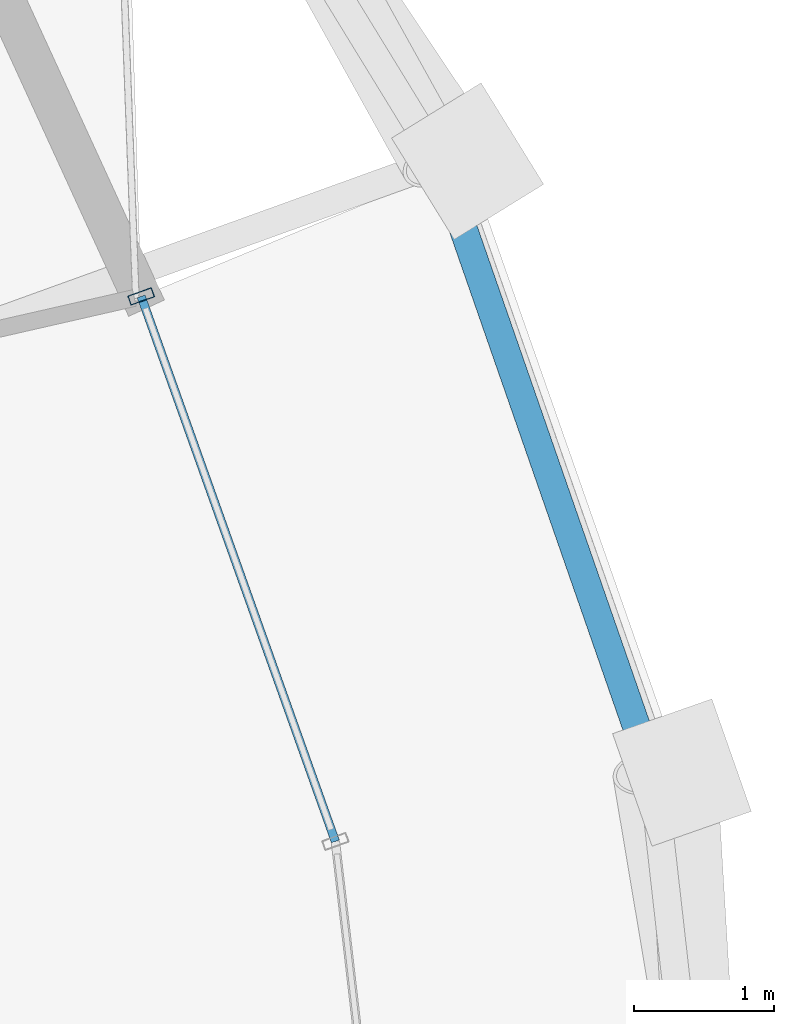
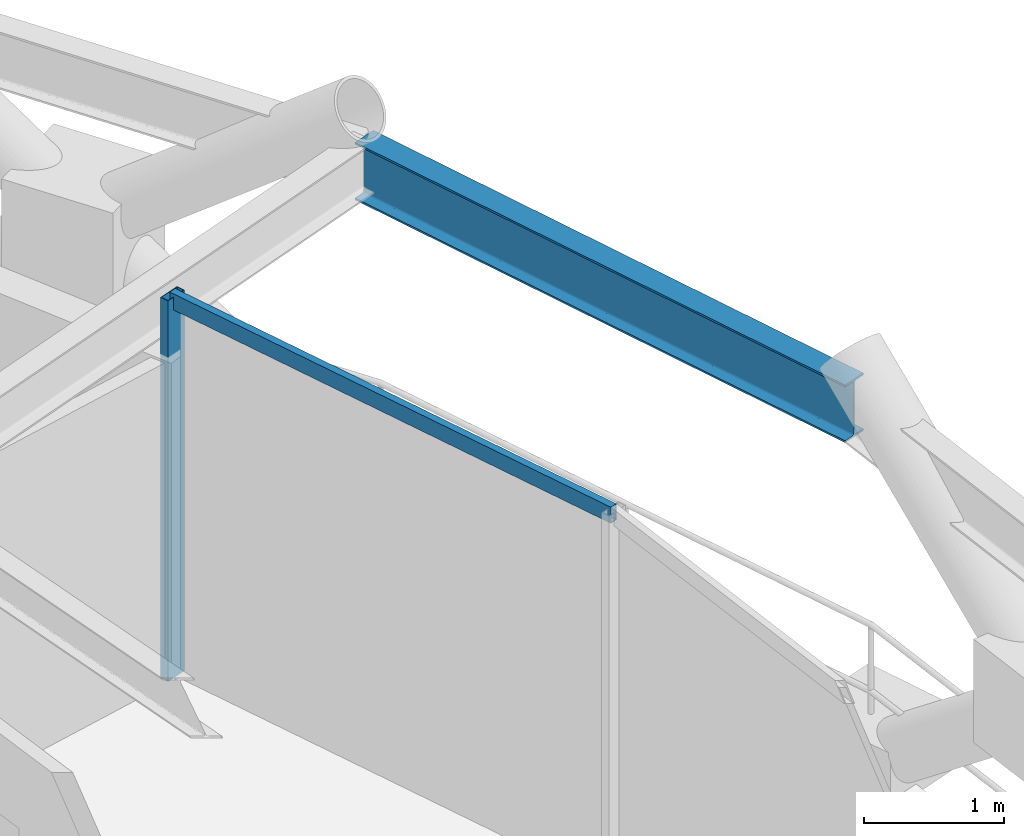
# One storey, part 9 of 16: 2 members, 1 beam, 1 element without a shape of its own.
"""IFC4 building model written with IfcOpenShell, lengths in metres."""

import ifcopenshell
import ifcopenshell.guid

model = None  # the IFC model being written
_history = None  # IfcOwnerHistory: only IFC2X3 demands one
_inside = {}  # id of a spatial element -> (the spatial element, [elements in it])
_under = {}  # id of a project, library or spatial element -> (it, [spatial elements below it])
_declared = {}  # id of a project -> (the project, [libraries it declares])
_typed = {}  # id of a type object -> (the type object, [elements of that type])
_made_of = {}  # id of a material, layer set ... -> (it, [elements and type objects made of it])


def new_model(schema):
    """Start an empty IFC model of exactly this schema.

    Asked for "IFC4X3", IfcOpenShell would pick the latest addendum, in which some entities
    have other attributes; the version numbers below select the first issue.
    IFC2X3 requires an IfcOwnerHistory on every rooted entity: one is made here for all.
    """
    global model, _history
    if schema == "IFC4X3":
        model = ifcopenshell.file(schema_version=(4, 3, 0, 0))
    else:
        model = ifcopenshell.file(schema=schema)
    _inside.clear()
    _under.clear()
    _declared.clear()
    _typed.clear()
    _made_of.clear()
    _history = None
    if model.schema == "IFC2X3":
        org = make("IfcOrganization", Name="unknown")
        user = make(
            "IfcPersonAndOrganization",
            ThePerson=make("IfcPerson", FamilyName="unknown"),
            TheOrganization=org,
        )
        app = make(
            "IfcApplication",
            ApplicationDeveloper=org,
            Version="unknown",
            ApplicationFullName="unknown",
            ApplicationIdentifier="unknown",
        )
        _history = make(
            "IfcOwnerHistory",
            OwningUser=user,
            OwningApplication=app,
            ChangeAction="ADDED",
            CreationDate=0,
        )
    return model


def make(cls, **values):
    """One entity of the class cls with the attributes given. An attribute that is None is left unset."""
    return model.create_entity(
        cls, **{name: value for name, value in values.items() if value is not None}
    )


def rooted(cls, **values):
    """An entity with a GlobalId (a new one), such as an element, a storey or a relation."""
    return make(cls, GlobalId=ifcopenshell.guid.new(), OwnerHistory=_history, **values)


def si_unit(unit_type, name, prefix=None):
    """IfcSIUnit, for example si_unit("LENGTHUNIT", "METRE", prefix="MILLI")."""
    return make("IfcSIUnit", UnitType=unit_type, Prefix=prefix, Name=name)


def assignment(units):
    """IfcUnitAssignment: the units of a project."""
    return None if units is None else make("IfcUnitAssignment", Units=units)


def point(xyz):
    """IfcCartesianPoint."""
    return None if xyz is None else make("IfcCartesianPoint", Coordinates=xyz)


def direction(xyz):
    """IfcDirection."""
    return None if xyz is None else make("IfcDirection", DirectionRatios=xyz)


def frame(location, z_axis=None, x_axis=None):
    """IfcAxis2Placement3D, a coordinate frame: its origin and axes. An axis left out is left unset."""
    return make(
        "IfcAxis2Placement3D",
        Location=point(location),
        Axis=direction(z_axis),
        RefDirection=direction(x_axis),
    )


def frame_2d(location, x_axis=None):
    """IfcAxis2Placement2D, a coordinate frame in the plane: its origin and x axis."""
    return make(
        "IfcAxis2Placement2D", Location=point(location), RefDirection=direction(x_axis)
    )


def origin():
    """The frame at (0, 0, 0) with its axes left unset."""
    return frame((0.0, 0.0, 0.0))


def origin_2d():
    """The frame at (0, 0) in the plane with its x axis left unset."""
    return frame_2d((0.0, 0.0))


def place(relative_to, where):
    """IfcLocalPlacement: puts the frame where relative to a parent placement (None: the world)."""
    return make(
        "IfcLocalPlacement", PlacementRelTo=relative_to, RelativePlacement=where
    )


def context(
    kind, dimensions, precision=None, world=None, true_north=None, identifier=None
):
    """IfcGeometricRepresentationContext, for example the 3D "Model" context."""
    return make(
        "IfcGeometricRepresentationContext",
        ContextIdentifier=identifier,
        ContextType=kind,
        CoordinateSpaceDimension=dimensions,
        Precision=precision,
        WorldCoordinateSystem=world,
        TrueNorth=true_north,
    )


def subcontext(parent, identifier, kind, view, scale=None):
    """IfcGeometricRepresentationSubContext, for example "Body" below "Model"."""
    return make(
        "IfcGeometricRepresentationSubContext",
        ContextIdentifier=identifier,
        ContextType=kind,
        ParentContext=parent,
        TargetScale=scale,
        TargetView=view,
    )


def project(units=None, contexts=None):
    """IfcProject with its units and contexts."""
    return rooted(
        "IfcProject",
        Name="project",
        RepresentationContexts=contexts,
        UnitsInContext=assignment(units),
    )


def spatial(cls, under=None, at=None, **own):
    """A site, building, storey or space (cls), placed at a placement, below another one or the project."""
    s = rooted(cls, ObjectPlacement=at, **own)
    if under is not None:
        _under.setdefault(under.id(), (under, []))[1].append(s)
    return s


def profile(cls, at=None, kind="AREA", **sizes):
    """A parametric profile (cls). Its sizes go by their IFC names, for example OverallWidth=200.0."""
    return make(cls, ProfileType=kind, Position=at, **sizes)


def hollow_rectangle(**sizes):
    """IfcRectangleHollowProfileDef."""
    return profile("IfcRectangleHollowProfileDef", **sizes)


def i_section(**sizes):
    """IfcIShapeProfileDef."""
    return profile("IfcIShapeProfileDef", **sizes)


def extrude(swept, where, along, depth):
    """IfcExtrudedAreaSolid: the profile swept, set in the frame where, extruded along a direction by depth."""
    return make(
        "IfcExtrudedAreaSolid",
        SweptArea=swept,
        Position=where,
        ExtrudedDirection=direction(along),
        Depth=depth,
    )


def shape(context_of_items, identifier, shape_type, items):
    """IfcShapeRepresentation: the items that make up one representation, for example the "Body"."""
    return make(
        "IfcShapeRepresentation",
        ContextOfItems=context_of_items,
        RepresentationIdentifier=identifier,
        RepresentationType=shape_type,
        Items=items,
    )


def material(Name=None, Category=None):
    """IfcMaterial."""
    return make("IfcMaterial", Name=Name, Category=Category)


def layer(
    of_material, thickness, ventilated=None, Name=None, Category=None, Priority=None
):
    """IfcMaterialLayer: one layer of a wall or slab, of a material (None: an air gap)."""
    return make(
        "IfcMaterialLayer",
        Material=of_material,
        LayerThickness=thickness,
        IsVentilated=ventilated,
        Name=Name,
        Category=Category,
        Priority=Priority,
    )


def layer_set(layers, Name=None):
    """IfcMaterialLayerSet."""
    return make("IfcMaterialLayerSet", MaterialLayers=layers, LayerSetName=Name)


def material_profile(
    of_material, cross_section, Name=None, Category=None, Priority=None
):
    """IfcMaterialProfile: a cross section and its material."""
    return make(
        "IfcMaterialProfile",
        Name=Name,
        Material=of_material,
        Profile=cross_section,
        Priority=Priority,
        Category=Category,
    )


def profile_set(profiles, Name=None, composite=None):
    """IfcMaterialProfileSet."""
    return make(
        "IfcMaterialProfileSet",
        Name=Name,
        MaterialProfiles=profiles,
        CompositeProfile=composite,
    )


def made_of(thing, what):
    """Note that an element or type object is made of a material, layer set ...; save() writes the relation."""
    if what is not None:
        _made_of.setdefault(what.id(), (what, []))[1].append(thing)
    return thing


def type_object(cls, material=None, **own):
    """A type object (cls), such as IfcWallType, which elements share."""
    return made_of(rooted(cls, **own), material)


def element(
    cls,
    number,
    at=None,
    inside=None,
    cuts=None,
    type_object=None,
    material=None,
    context=None,
    identifier="Body",
    shape_type=None,
    held_by="IfcProductDefinitionShape",
    body=None,
    shapes=None,
    **own,
):
    """One element of the class cls, such as IfcWall. Its Tag is "e" and its number.

    at: its placement. inside: the storey or other place that contains it. cuts: it is an
    opening in that element (IfcRelVoidsElement). A single representation is given by context,
    identifier, shape_type and body (its items); several are given by shapes. held_by: the class
    of the entity that holds the representations. save() writes the other relations.
    """
    e = rooted(cls, Tag="e%d" % number, ObjectPlacement=at, **own)
    if body is not None:
        shapes = [shape(context, identifier, shape_type, body)]
    if shapes is not None:
        e.Representation = make(held_by, Representations=shapes)
    if inside is not None:
        _inside.setdefault(inside.id(), (inside, []))[1].append(e)
    if cuts is not None:
        rooted(
            "IfcRelVoidsElement", RelatingBuildingElement=cuts, RelatedOpeningElement=e
        )
    if type_object is not None:
        _typed.setdefault(type_object.id(), (type_object, []))[1].append(e)
    return made_of(e, material)


def aggregate(whole, parts):
    """IfcRelAggregates: a whole, such as a stair, and the parts it consists of."""
    return rooted("IfcRelAggregates", RelatingObject=whole, RelatedObjects=parts)


def save(model, path):
    """Write the relations noted so far, then the file.

    IfcRelAggregates (storeys below a building ...), IfcRelContainedInSpatialStructure (elements
    in a storey), IfcRelDefinesByType, IfcRelAssociatesMaterial and IfcRelDeclares: one each for
    every whole, place, type object, material and project.
    """
    for whole, parts in _under.values():
        aggregate(whole, parts)
    for where, things in _inside.values():
        rooted(
            "IfcRelContainedInSpatialStructure",
            RelatedElements=things,
            RelatingStructure=where,
        )
    for kind, things in _typed.values():
        rooted("IfcRelDefinesByType", RelatedObjects=things, RelatingType=kind)
    for what, things in _made_of.values():
        rooted("IfcRelAssociatesMaterial", RelatedObjects=things, RelatingMaterial=what)
    for by, libraries in _declared.values():
        rooted("IfcRelDeclares", RelatingContext=by, RelatedDefinitions=libraries)
    model.write(path)


model = new_model("IFC4")

# Units and contexts
model_context = context("Model", 3, precision=1e-05, world=origin(), true_north=direction((0.0, 1.0)))
body_context = subcontext(model_context, "Body", "Model", "MODEL_VIEW")
ifc_project = project(units=[si_unit("LENGTHUNIT", "METRE"), si_unit("AREAUNIT", "SQUARE_METRE"), si_unit("VOLUMEUNIT", "CUBIC_METRE"), si_unit("PLANEANGLEUNIT", "RADIAN"), si_unit("MASSUNIT", "GRAM", prefix="KILO")], contexts=[model_context])

# Site, building, storey
site_placement = place(None, origin())
site = spatial("IfcSite", under=ifc_project, at=site_placement, CompositionType="ELEMENT")
building_placement = place(site_placement, origin())
building = spatial("IfcBuilding", under=site, at=building_placement, Name="Veldorina Hangang Commons", CompositionType="ELEMENT")
storey_placement = place(building_placement, frame((0.0, 0.0, 192.800048828125)))
storey = spatial("IfcBuildingStorey", under=building, at=storey_placement, Name="L50", CompositionType="ELEMENT", Elevation=192.800048828125)

# Beam
ifc_material_1 = material(Name="Steel SM420-TMC", Category="steel")
ifc_material_profile_1 = material_profile(ifc_material_1, i_section(OverallWidth=0.199951171875, OverallDepth=0.5, WebThickness=0.010009765625, FlangeThickness=0.01611328125, FilletRadius=0.01611328125, at=origin_2d()), Name="H-500x200x10x16")
ifc_profile_set_1 = profile_set([ifc_material_profile_1], Name="Steel SM420-TMC")
beam_type = type_object("IfcBeamType", Name="BM-RB500", PredefinedType="BEAM", material=ifc_profile_set_1)
beam_placement = place(storey_placement, frame((58.134521484375, 28.53173828125, 3.099853515625), z_axis=(-0.328693009223, 0.94443681932, 0.0), x_axis=(-0.94443681932, -0.328693009223, 0.0)))
element("IfcBeam", 1, at=beam_placement, inside=storey, type_object=beam_type, Name="L50 perimeter hoop ring beam 01", PredefinedType="BEAM", context=body_context, shape_type="SweptSolid", body=[
    extrude(i_section(OverallWidth=0.199951171875, OverallDepth=0.5, WebThickness=0.010009765625, FlangeThickness=0.01611328125, FilletRadius=0.01611328125, at=origin_2d()), origin(), (0.0, 0.0, 1.0), 4.614013671875),
])

# Curtain wall, members
ifc_material_2 = material(Name="Glass Low-E Triple IGU", Category="glass")
ifc_layer = layer(ifc_material_2, 0.179931640625)
ifc_layer_set = layer_set([ifc_layer], Name="Glass Low-E Triple IGU")
curtain_wall_type = type_object("IfcCurtainWallType", Name="CW-SYS-Z2", PredefinedType="NOTDEFINED", material=ifc_layer_set)
curtain_wall_placement = place(storey_placement, origin())
curtain_wall = element("IfcCurtainWall", 2, at=curtain_wall_placement, inside=storey, type_object=curtain_wall_type, Name="L50 unitised curtain wall CW-L50-R2", PredefinedType="NOTDEFINED")
ifc_material_3 = material(Name="Aluminium Anodized AA6063-T6", Category="aluminium")
ifc_material_profile_2 = material_profile(ifc_material_3, hollow_rectangle(XDim=0.070068359375, YDim=0.179931640625, WallThickness=0.00390625, at=origin_2d()), Name="ALU-RHS-180x70x4")
ifc_profile_set_2 = profile_set([ifc_material_profile_2], Name="Aluminium Anodized AA6063-T6")
member_type_1 = type_object("IfcMemberType", Name="CW-MUL-180", PredefinedType="MULLION", material=ifc_profile_set_2)
member_1_placement = place(storey_placement, frame((54.4873046875, 31.928955078125, 0.0), z_axis=(0.0, 0.0, 1.0), x_axis=(0.335681747794, -0.941975458384, 0.0)))
member_1 = element("IfcMember", 3, at=member_1_placement, type_object=member_type_1, Name="CW-L50-R2 vertical mullion 5", PredefinedType="MULLION", context=body_context, shape_type="SweptSolid", body=[
    extrude(hollow_rectangle(XDim=0.070068359375, YDim=0.179931640625, WallThickness=0.00390625, at=origin_2d()), origin(), (0.0, 0.0, 1.0), 3.31005859375),
])
ifc_material_profile_3 = material_profile(ifc_material_3, hollow_rectangle(XDim=0.06005859375, YDim=0.139892578125, WallThickness=0.00341796875, at=origin_2d()), Name="ALU-RHS-140x60x3.5")
ifc_profile_set_3 = profile_set([ifc_material_profile_3], Name="Aluminium Anodized AA6063-T6")
member_type_2 = type_object("IfcMemberType", Name="CW-TRN-140", PredefinedType="USERDEFINED", material=ifc_profile_set_3)
member_2_placement = place(storey_placement, frame((55.872314453125, 28.042236328125, 3.27001953125), z_axis=(-0.33566911516, 0.941979960046, 0.0), x_axis=(-0.941979960046, -0.33566911516, 0.0)))
member_2 = element("IfcMember", 4, at=member_2_placement, type_object=member_type_2, Name="CW-L50-R2 facet 5 transom 1", ObjectType="TRANSOM", PredefinedType="USERDEFINED", context=body_context, shape_type="SweptSolid", body=[
    extrude(hollow_rectangle(XDim=0.06005859375, YDim=0.139892578125, WallThickness=0.00341796875, at=origin_2d()), origin(), (0.0, 0.0, 1.0), 4.126220703125),
])
aggregate(curtain_wall, [member_1, member_2])

save(model, "model.ifc")
